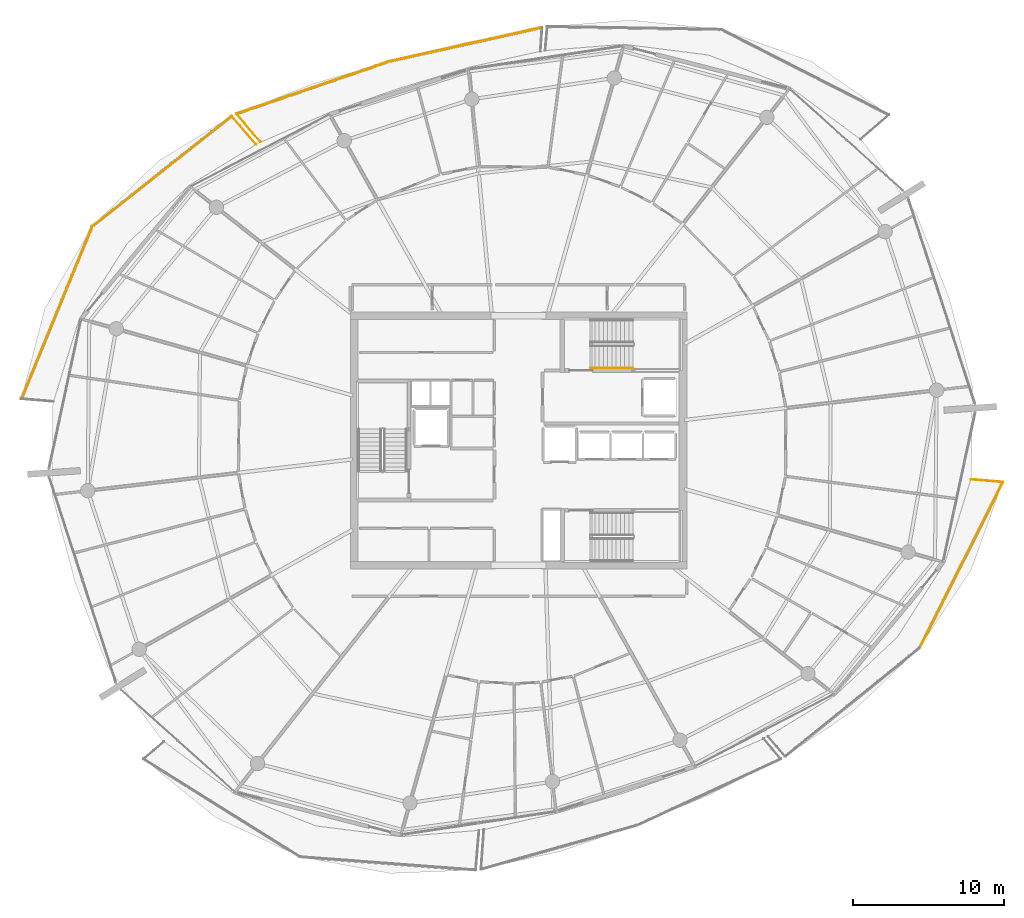
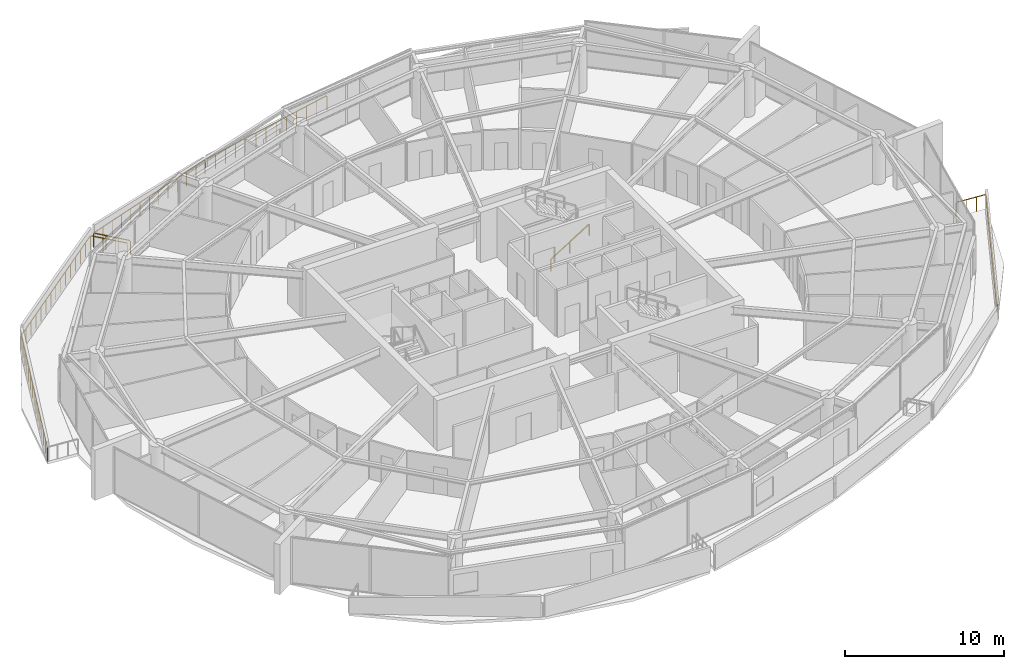
# One storey, part 28 of 30: 9 railings.
"""IFC4 building model written with IfcOpenShell, lengths in metres."""

from ifc_helpers import new_model, si_unit, direction, frame, origin, origin_2d, place, context, subcontext, project, spatial, rectangle, extrude, material, type_object, element, save


model = new_model("IFC4")

# Units and contexts
model_context = context("Model", 3, precision=1e-05, world=origin(), true_north=direction((0.0, 1.0)))
body_context = subcontext(model_context, "Body", "Model", "MODEL_VIEW")
ifc_project = project(units=[si_unit("LENGTHUNIT", "METRE"), si_unit("AREAUNIT", "SQUARE_METRE"), si_unit("VOLUMEUNIT", "CUBIC_METRE"), si_unit("PLANEANGLEUNIT", "RADIAN"), si_unit("MASSUNIT", "GRAM", prefix="KILO")], contexts=[model_context])

# Site, building, storey
site_placement = place(None, origin())
site = spatial("IfcSite", under=ifc_project, at=site_placement, CompositionType="ELEMENT")
building_placement = place(site_placement, origin())
building = spatial("IfcBuilding", under=site, at=building_placement, Name="Kazma Halo Residences", CompositionType="ELEMENT")
storey_placement = place(building_placement, frame((0.0, 0.0, 298.300048828125)))
storey = spatial("IfcBuildingStorey", under=building, at=storey_placement, Name="L75", CompositionType="ELEMENT", Elevation=298.300048828125)

# Railings
ifc_material_1 = material(Name="Aluminium AW-6063 T6 Brushed Cap Rail", Category="aluminium")
railing_type_1 = type_object("IfcRailingType", Name="RLG-BAL-CAP-1120", PredefinedType="BALUSTRADE", material=ifc_material_1)
railing_1_placement = place(storey_placement, frame((49.98291015625, 69.327392578125, 0.0)))
element("IfcRailing", 1, at=railing_1_placement, inside=storey, type_object=railing_type_1, Name="L75 NNW wave balcony guard 2", PredefinedType="BALUSTRADE", context=body_context, shape_type="SweptSolid", body=[
    extrude(rectangle(XDim=0.050048828125, YDim=0.050048828125, at=origin_2d()), frame((-0.04150390625, -0.00927734375, 1.09521484375), z_axis=(-0.976128347195, -0.217194497633, 0.0), x_axis=(0.217194497633, -0.976128347195, 0.0)), (0.0, 0.0, 1.0), 10.292236328125),
    extrude(rectangle(XDim=0.0400390625, YDim=0.0400390625, at=origin_2d()), origin(), (0.0, 0.0, 1.0), 1.05810546875),
    extrude(rectangle(XDim=0.0400390625, YDim=0.0400390625, at=origin_2d()), frame((-0.84423828125, -0.187744140625, 0.0)), (0.0, 0.0, 1.0), 1.05810546875),
    extrude(rectangle(XDim=0.0400390625, YDim=0.0400390625, at=origin_2d()), frame((-1.688232421875, -0.375732421875, 0.0)), (0.0, 0.0, 1.0), 1.05810546875),
    extrude(rectangle(XDim=0.0400390625, YDim=0.0400390625, at=origin_2d()), frame((-2.532470703125, -0.5634765625, 0.0)), (0.0, 0.0, 1.0), 1.05810546875),
    extrude(rectangle(XDim=0.0400390625, YDim=0.0400390625, at=origin_2d()), frame((-3.37646484375, -0.751220703125, 0.0)), (0.0, 0.0, 1.0), 1.05810546875),
    extrude(rectangle(XDim=0.0400390625, YDim=0.0400390625, at=origin_2d()), frame((-4.220703125, -0.939208984375, 0.0)), (0.0, 0.0, 1.0), 1.05810546875),
    extrude(rectangle(XDim=0.0400390625, YDim=0.0400390625, at=origin_2d()), frame((-5.06494140625, -1.126953125, 0.0)), (0.0, 0.0, 1.0), 1.05810546875),
    extrude(rectangle(XDim=0.0400390625, YDim=0.0400390625, at=origin_2d()), frame((-5.908935546875, -1.314697265625, 0.0)), (0.0, 0.0, 1.0), 1.05810546875),
    extrude(rectangle(XDim=0.0400390625, YDim=0.0400390625, at=origin_2d()), frame((-6.753173828125, -1.502685546875, 0.0)), (0.0, 0.0, 1.0), 1.05810546875),
    extrude(rectangle(XDim=0.0400390625, YDim=0.0400390625, at=origin_2d()), frame((-7.59716796875, -1.6904296875, 0.0)), (0.0, 0.0, 1.0), 1.05810546875),
    extrude(rectangle(XDim=0.0400390625, YDim=0.0400390625, at=origin_2d()), frame((-8.44140625, -1.878173828125, 0.0)), (0.0, 0.0, 1.0), 1.05810546875),
    extrude(rectangle(XDim=0.0400390625, YDim=0.0400390625, at=origin_2d()), frame((-9.285400390625, -2.066162109375, 0.0)), (0.0, 0.0, 1.0), 1.05810546875),
    extrude(rectangle(XDim=0.0400390625, YDim=0.0400390625, at=origin_2d()), frame((-10.129638671875, -2.25390625, 0.0)), (0.0, 0.0, 1.0), 1.05810546875),
])
railing_2_placement = place(storey_placement, frame((39.853271484375, 67.073486328125, 0.0)))
element("IfcRailing", 2, at=railing_2_placement, inside=storey, type_object=railing_type_1, Name="L75 NNW wave balcony guard 3", PredefinedType="BALUSTRADE", context=body_context, shape_type="SweptSolid", body=[
    extrude(rectangle(XDim=0.050048828125, YDim=0.050048828125, at=origin_2d()), frame((-0.040283203125, -0.013671875, 1.09521484375), z_axis=(-0.945989483895, -0.324197310845, 0.0), x_axis=(0.324197310845, -0.945989483895, 0.0)), (0.0, 0.0, 1.0), 10.5791015625),
    extrude(rectangle(XDim=0.0400390625, YDim=0.0400390625, at=origin_2d()), origin(), (0.0, 0.0, 1.0), 1.05810546875),
    extrude(rectangle(XDim=0.0400390625, YDim=0.0400390625, at=origin_2d()), frame((-0.840576171875, -0.2880859375, 0.0)), (0.0, 0.0, 1.0), 1.05810546875),
    extrude(rectangle(XDim=0.0400390625, YDim=0.0400390625, at=origin_2d()), frame((-1.681396484375, -0.576171875, 0.0)), (0.0, 0.0, 1.0), 1.05810546875),
    extrude(rectangle(XDim=0.0400390625, YDim=0.0400390625, at=origin_2d()), frame((-2.52197265625, -0.8642578125, 0.0)), (0.0, 0.0, 1.0), 1.05810546875),
    extrude(rectangle(XDim=0.0400390625, YDim=0.0400390625, at=origin_2d()), frame((-3.36279296875, -1.15234375, 0.0)), (0.0, 0.0, 1.0), 1.05810546875),
    extrude(rectangle(XDim=0.0400390625, YDim=0.0400390625, at=origin_2d()), frame((-4.203369140625, -1.4404296875, 0.0)), (0.0, 0.0, 1.0), 1.05810546875),
    extrude(rectangle(XDim=0.0400390625, YDim=0.0400390625, at=origin_2d()), frame((-5.0439453125, -1.728515625, 0.0)), (0.0, 0.0, 1.0), 1.05810546875),
    extrude(rectangle(XDim=0.0400390625, YDim=0.0400390625, at=origin_2d()), frame((-5.884765625, -2.016845703125, 0.0)), (0.0, 0.0, 1.0), 1.05810546875),
    extrude(rectangle(XDim=0.0400390625, YDim=0.0400390625, at=origin_2d()), frame((-6.725341796875, -2.304931640625, 0.0)), (0.0, 0.0, 1.0), 1.05810546875),
    extrude(rectangle(XDim=0.0400390625, YDim=0.0400390625, at=origin_2d()), frame((-7.566162109375, -2.593017578125, 0.0)), (0.0, 0.0, 1.0), 1.05810546875),
    extrude(rectangle(XDim=0.0400390625, YDim=0.0400390625, at=origin_2d()), frame((-8.40673828125, -2.881103515625, 0.0)), (0.0, 0.0, 1.0), 1.05810546875),
    extrude(rectangle(XDim=0.0400390625, YDim=0.0400390625, at=origin_2d()), frame((-9.24755859375, -3.169189453125, 0.0)), (0.0, 0.0, 1.0), 1.05810546875),
    extrude(rectangle(XDim=0.0400390625, YDim=0.0400390625, at=origin_2d()), frame((-10.088134765625, -3.457275390625, 0.0)), (0.0, 0.0, 1.0), 1.05810546875),
])
railing_3_placement = place(storey_placement, frame((29.76513671875, 63.6162109375, 0.0)))
element("IfcRailing", 3, at=railing_3_placement, inside=storey, type_object=railing_type_1, Name="L75 NNW wave balcony guard 4", PredefinedType="BALUSTRADE", context=body_context, shape_type="SweptSolid", body=[
    extrude(rectangle(XDim=0.050048828125, YDim=0.050048828125, at=origin_2d()), frame((0.02734375, -0.032470703125, 1.09521484375), z_axis=(0.644836604623, -0.764320451995, 0.0), x_axis=(0.764320451995, 0.644836604623, 0.0)), (0.0, 0.0, 1.0), 2.381103515625),
    extrude(rectangle(XDim=0.0400390625, YDim=0.0400390625, at=origin_2d()), origin(), (0.0, 0.0, 1.0), 1.05810546875),
    extrude(rectangle(XDim=0.0400390625, YDim=0.0400390625, at=origin_2d()), frame((0.530029296875, -0.62841796875, 0.0)), (0.0, 0.0, 1.0), 1.05810546875),
    extrude(rectangle(XDim=0.0400390625, YDim=0.0400390625, at=origin_2d()), frame((1.060302734375, -1.256591796875, 0.0)), (0.0, 0.0, 1.0), 1.05810546875),
    extrude(rectangle(XDim=0.0400390625, YDim=0.0400390625, at=origin_2d()), frame((1.59033203125, -1.885009765625, 0.0)), (0.0, 0.0, 1.0), 1.05810546875),
])
railing_4_placement = place(storey_placement, frame((31.06787109375, 61.58154296875, 0.0)))
element("IfcRailing", 4, at=railing_4_placement, inside=storey, type_object=railing_type_1, Name="L75 NW wave balcony guard 1", PredefinedType="BALUSTRADE", context=body_context, shape_type="SweptSolid", body=[
    extrude(rectangle(XDim=0.050048828125, YDim=0.050048828125, at=origin_2d()), frame((-0.02783203125, 0.0322265625, 1.09521484375), z_axis=(-0.65405468869, 0.756447264654, 0.0), x_axis=(-0.756447264654, -0.65405468869, 0.0)), (0.0, 0.0, 1.0), 2.3994140625),
    extrude(rectangle(XDim=0.0400390625, YDim=0.0400390625, at=origin_2d()), origin(), (0.0, 0.0, 1.0), 1.05810546875),
    extrude(rectangle(XDim=0.0400390625, YDim=0.0400390625, at=origin_2d()), frame((-0.541748046875, 0.62646484375, 0.0)), (0.0, 0.0, 1.0), 1.05810546875),
    extrude(rectangle(XDim=0.0400390625, YDim=0.0400390625, at=origin_2d()), frame((-1.083251953125, 1.2529296875, 0.0)), (0.0, 0.0, 1.0), 1.05810546875),
    extrude(rectangle(XDim=0.0400390625, YDim=0.0400390625, at=origin_2d()), frame((-1.625, 1.87939453125, 0.0)), (0.0, 0.0, 1.0), 1.05810546875),
])
railing_5_placement = place(storey_placement, frame((29.44287109375, 63.4609375, 0.0)))
element("IfcRailing", 5, at=railing_5_placement, inside=storey, type_object=railing_type_1, Name="L75 NW wave balcony guard 2", PredefinedType="BALUSTRADE", context=body_context, shape_type="SweptSolid", body=[
    extrude(rectangle(XDim=0.050048828125, YDim=0.050048828125, at=origin_2d()), frame((-0.033447265625, -0.0263671875, 1.09521484375), z_axis=(-0.784537591948, -0.62008125824, 0.0), x_axis=(0.62008125824, -0.784537591948, 0.0)), (0.0, 0.0, 1.0), 11.687255859375),
    extrude(rectangle(XDim=0.0400390625, YDim=0.0400390625, at=origin_2d()), origin(), (0.0, 0.0, 1.0), 1.05810546875),
    extrude(rectangle(XDim=0.0400390625, YDim=0.0400390625, at=origin_2d()), frame((-0.65966796875, -0.521484375, 0.0)), (0.0, 0.0, 1.0), 1.05810546875),
    extrude(rectangle(XDim=0.0400390625, YDim=0.0400390625, at=origin_2d()), frame((-1.3193359375, -1.042724609375, 0.0)), (0.0, 0.0, 1.0), 1.05810546875),
    extrude(rectangle(XDim=0.0400390625, YDim=0.0400390625, at=origin_2d()), frame((-1.97900390625, -1.564208984375, 0.0)), (0.0, 0.0, 1.0), 1.05810546875),
    extrude(rectangle(XDim=0.0400390625, YDim=0.0400390625, at=origin_2d()), frame((-2.638916015625, -2.085693359375, 0.0)), (0.0, 0.0, 1.0), 1.05810546875),
    extrude(rectangle(XDim=0.0400390625, YDim=0.0400390625, at=origin_2d()), frame((-3.298583984375, -2.607177734375, 0.0)), (0.0, 0.0, 1.0), 1.05810546875),
    extrude(rectangle(XDim=0.0400390625, YDim=0.0400390625, at=origin_2d()), frame((-3.958251953125, -3.12841796875, 0.0)), (0.0, 0.0, 1.0), 1.05810546875),
    extrude(rectangle(XDim=0.0400390625, YDim=0.0400390625, at=origin_2d()), frame((-4.617919921875, -3.64990234375, 0.0)), (0.0, 0.0, 1.0), 1.05810546875),
    extrude(rectangle(XDim=0.0400390625, YDim=0.0400390625, at=origin_2d()), frame((-5.277587890625, -4.17138671875, 0.0)), (0.0, 0.0, 1.0), 1.05810546875),
    extrude(rectangle(XDim=0.0400390625, YDim=0.0400390625, at=origin_2d()), frame((-5.937255859375, -4.692626953125, 0.0)), (0.0, 0.0, 1.0), 1.05810546875),
    extrude(rectangle(XDim=0.0400390625, YDim=0.0400390625, at=origin_2d()), frame((-6.596923828125, -5.214111328125, 0.0)), (0.0, 0.0, 1.0), 1.05810546875),
    extrude(rectangle(XDim=0.0400390625, YDim=0.0400390625, at=origin_2d()), frame((-7.2568359375, -5.735595703125, 0.0)), (0.0, 0.0, 1.0), 1.05810546875),
    extrude(rectangle(XDim=0.0400390625, YDim=0.0400390625, at=origin_2d()), frame((-7.91650390625, -6.257080078125, 0.0)), (0.0, 0.0, 1.0), 1.05810546875),
    extrude(rectangle(XDim=0.0400390625, YDim=0.0400390625, at=origin_2d()), frame((-8.576171875, -6.7783203125, 0.0)), (0.0, 0.0, 1.0), 1.05810546875),
    extrude(rectangle(XDim=0.0400390625, YDim=0.0400390625, at=origin_2d()), frame((-9.23583984375, -7.2998046875, 0.0)), (0.0, 0.0, 1.0), 1.05810546875),
])
railing_6_placement = place(storey_placement, frame((20.20703125, 56.1611328125, 0.0)))
element("IfcRailing", 6, at=railing_6_placement, inside=storey, type_object=railing_type_1, Name="L75 NW wave balcony guard 3", PredefinedType="BALUSTRADE", context=body_context, shape_type="SweptSolid", body=[
    extrude(rectangle(XDim=0.050048828125, YDim=0.050048828125, at=origin_2d()), frame((-0.01611328125, -0.039306640625, 1.09521484375), z_axis=(-0.379601121208, -0.925150252001, 0.0), x_axis=(0.925150252001, -0.379601121208, 0.0)), (0.0, 0.0, 1.0), 12.243408203125),
    extrude(rectangle(XDim=0.0400390625, YDim=0.0400390625, at=origin_2d()), origin(), (0.0, 0.0, 1.0), 1.05810546875),
    extrude(rectangle(XDim=0.0400390625, YDim=0.0400390625, at=origin_2d()), frame((-0.334228515625, -0.814697265625, 0.0)), (0.0, 0.0, 1.0), 1.05810546875),
    extrude(rectangle(XDim=0.0400390625, YDim=0.0400390625, at=origin_2d()), frame((-0.66845703125, -1.62939453125, 0.0)), (0.0, 0.0, 1.0), 1.05810546875),
    extrude(rectangle(XDim=0.0400390625, YDim=0.0400390625, at=origin_2d()), frame((-1.0029296875, -2.444091796875, 0.0)), (0.0, 0.0, 1.0), 1.05810546875),
    extrude(rectangle(XDim=0.0400390625, YDim=0.0400390625, at=origin_2d()), frame((-1.337158203125, -3.2587890625, 0.0)), (0.0, 0.0, 1.0), 1.05810546875),
    extrude(rectangle(XDim=0.0400390625, YDim=0.0400390625, at=origin_2d()), frame((-1.67138671875, -4.073486328125, 0.0)), (0.0, 0.0, 1.0), 1.05810546875),
    extrude(rectangle(XDim=0.0400390625, YDim=0.0400390625, at=origin_2d()), frame((-2.005615234375, -4.88818359375, 0.0)), (0.0, 0.0, 1.0), 1.05810546875),
    extrude(rectangle(XDim=0.0400390625, YDim=0.0400390625, at=origin_2d()), frame((-2.33984375, -5.702880859375, 0.0)), (0.0, 0.0, 1.0), 1.05810546875),
    extrude(rectangle(XDim=0.0400390625, YDim=0.0400390625, at=origin_2d()), frame((-2.67431640625, -6.517578125, 0.0)), (0.0, 0.0, 1.0), 1.05810546875),
    extrude(rectangle(XDim=0.0400390625, YDim=0.0400390625, at=origin_2d()), frame((-3.008544921875, -7.332275390625, 0.0)), (0.0, 0.0, 1.0), 1.05810546875),
    extrude(rectangle(XDim=0.0400390625, YDim=0.0400390625, at=origin_2d()), frame((-3.3427734375, -8.14697265625, 0.0)), (0.0, 0.0, 1.0), 1.05810546875),
    extrude(rectangle(XDim=0.0400390625, YDim=0.0400390625, at=origin_2d()), frame((-3.677001953125, -8.961669921875, 0.0)), (0.0, 0.0, 1.0), 1.05810546875),
    extrude(rectangle(XDim=0.0400390625, YDim=0.0400390625, at=origin_2d()), frame((-4.011474609375, -9.7763671875, 0.0)), (0.0, 0.0, 1.0), 1.05810546875),
    extrude(rectangle(XDim=0.0400390625, YDim=0.0400390625, at=origin_2d()), frame((-4.345703125, -10.591064453125, 0.0)), (0.0, 0.0, 1.0), 1.05810546875),
    extrude(rectangle(XDim=0.0400390625, YDim=0.0400390625, at=origin_2d()), frame((-4.679931640625, -11.40576171875, 0.0)), (0.0, 0.0, 1.0), 1.05810546875),
])
railing_7_placement = place(storey_placement, frame((74.936767578125, 28.27490234375, 0.0)))
element("IfcRailing", 7, at=railing_7_placement, inside=storey, type_object=railing_type_1, Name="L75 SE wave balcony guard 3", PredefinedType="BALUSTRADE", context=body_context, shape_type="SweptSolid", body=[
    extrude(rectangle(XDim=0.050048828125, YDim=0.050048828125, at=origin_2d()), frame((0.01904296875, 0.0380859375, 1.09521484375), z_axis=(0.449279975195, 0.893391013996, 0.0), x_axis=(-0.893391013996, 0.449279975195, 0.0)), (0.0, 0.0, 1.0), 12.1953125),
    extrude(rectangle(XDim=0.0400390625, YDim=0.0400390625, at=origin_2d()), origin(), (0.0, 0.0, 1.0), 1.05810546875),
    extrude(rectangle(XDim=0.0400390625, YDim=0.0400390625, at=origin_2d()), frame((0.39404296875, 0.78369140625, 0.0)), (0.0, 0.0, 1.0), 1.05810546875),
    extrude(rectangle(XDim=0.0400390625, YDim=0.0400390625, at=origin_2d()), frame((0.7880859375, 1.5673828125, 0.0)), (0.0, 0.0, 1.0), 1.05810546875),
    extrude(rectangle(XDim=0.0400390625, YDim=0.0400390625, at=origin_2d()), frame((1.182373046875, 2.35107421875, 0.0)), (0.0, 0.0, 1.0), 1.05810546875),
    extrude(rectangle(XDim=0.0400390625, YDim=0.0400390625, at=origin_2d()), frame((1.576416015625, 3.134521484375, 0.0)), (0.0, 0.0, 1.0), 1.05810546875),
    extrude(rectangle(XDim=0.0400390625, YDim=0.0400390625, at=origin_2d()), frame((1.970458984375, 3.918212890625, 0.0)), (0.0, 0.0, 1.0), 1.05810546875),
    extrude(rectangle(XDim=0.0400390625, YDim=0.0400390625, at=origin_2d()), frame((2.364501953125, 4.701904296875, 0.0)), (0.0, 0.0, 1.0), 1.05810546875),
    extrude(rectangle(XDim=0.0400390625, YDim=0.0400390625, at=origin_2d()), frame((2.7587890625, 5.485595703125, 0.0)), (0.0, 0.0, 1.0), 1.05810546875),
    extrude(rectangle(XDim=0.0400390625, YDim=0.0400390625, at=origin_2d()), frame((3.15283203125, 6.269287109375, 0.0)), (0.0, 0.0, 1.0), 1.05810546875),
    extrude(rectangle(XDim=0.0400390625, YDim=0.0400390625, at=origin_2d()), frame((3.546875, 7.052978515625, 0.0)), (0.0, 0.0, 1.0), 1.05810546875),
    extrude(rectangle(XDim=0.0400390625, YDim=0.0400390625, at=origin_2d()), frame((3.94091796875, 7.836669921875, 0.0)), (0.0, 0.0, 1.0), 1.05810546875),
    extrude(rectangle(XDim=0.0400390625, YDim=0.0400390625, at=origin_2d()), frame((4.3349609375, 8.6201171875, 0.0)), (0.0, 0.0, 1.0), 1.05810546875),
    extrude(rectangle(XDim=0.0400390625, YDim=0.0400390625, at=origin_2d()), frame((4.729248046875, 9.40380859375, 0.0)), (0.0, 0.0, 1.0), 1.05810546875),
    extrude(rectangle(XDim=0.0400390625, YDim=0.0400390625, at=origin_2d()), frame((5.123291015625, 10.1875, 0.0)), (0.0, 0.0, 1.0), 1.05810546875),
    extrude(rectangle(XDim=0.0400390625, YDim=0.0400390625, at=origin_2d()), frame((5.517333984375, 10.97119140625, 0.0)), (0.0, 0.0, 1.0), 1.05810546875),
])
railing_8_placement = place(storey_placement, frame((80.4541015625, 39.24609375, 0.0)))
element("IfcRailing", 8, at=railing_8_placement, inside=storey, type_object=railing_type_1, Name="L75 SE wave balcony guard 4", PredefinedType="BALUSTRADE", context=body_context, shape_type="SweptSolid", body=[
    extrude(rectangle(XDim=0.050048828125, YDim=0.050048828125, at=origin_2d()), frame((-0.04248046875, 0.003662109375, 1.09521484375), z_axis=(-0.996412127571, 0.084633752307, 0.0), x_axis=(-0.084633752307, -0.996412127571, 0.0)), (0.0, 0.0, 1.0), 2.026611328125),
    extrude(rectangle(XDim=0.0400390625, YDim=0.0400390625, at=origin_2d()), origin(), (0.0, 0.0, 1.0), 1.05810546875),
    extrude(rectangle(XDim=0.0400390625, YDim=0.0400390625, at=origin_2d()), frame((-0.701416015625, 0.0595703125, 0.0)), (0.0, 0.0, 1.0), 1.05810546875),
    extrude(rectangle(XDim=0.0400390625, YDim=0.0400390625, at=origin_2d()), frame((-1.402587890625, 0.119140625, 0.0)), (0.0, 0.0, 1.0), 1.05810546875),
    extrude(rectangle(XDim=0.0400390625, YDim=0.0400390625, at=origin_2d()), frame((-2.10400390625, 0.1787109375, 0.0)), (0.0, 0.0, 1.0), 1.05810546875),
])
ifc_material_2 = material(Name="Brushed Stainless Steel", Category="steel")
railing_type_2 = type_object("IfcRailingType", Name="RLG-STAIR-HND-900", PredefinedType="HANDRAIL", material=ifc_material_2)
railing_9_placement = place(storey_placement, frame((53.199951171875, 46.800048828125, 0.175048828125)))
element("IfcRailing", 9, at=railing_9_placement, inside=storey, type_object=railing_type_2, Name="L75 ST-02 stair handrail 1", PredefinedType="HANDRAIL", context=body_context, shape_type="SweptSolid", body=[
    extrude(rectangle(XDim=0.050048828125, YDim=0.050048828125, at=origin_2d()), frame((0.0361328125, 0.0, 0.8974609375), z_axis=(0.848002457836, 0.0, 0.529992293815), x_axis=(0.0, 1.0, 0.0)), (0.0, 0.0, 1.0), 3.216796875),
    extrude(rectangle(XDim=0.0400390625, YDim=0.0400390625, at=origin_2d()), origin(), (0.0, 0.0, 1.0), 0.837890625),
    extrude(rectangle(XDim=0.0400390625, YDim=0.0400390625, at=origin_2d()), frame((1.39990234375, 0.0, 0.875)), (0.0, 0.0, 1.0), 0.837890625),
    extrude(rectangle(XDim=0.0400390625, YDim=0.0400390625, at=origin_2d()), frame((2.800048828125, 0.0, 1.75)), (0.0, 0.0, 1.0), 0.837890625),
])

save(model, "model.ifc")
